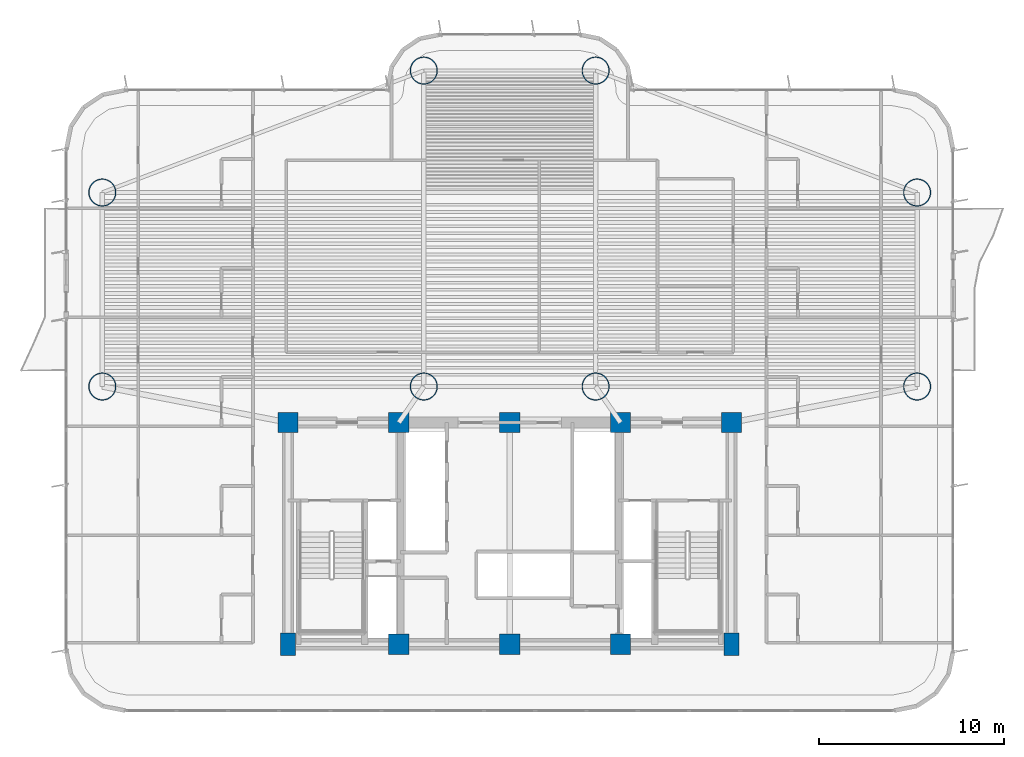
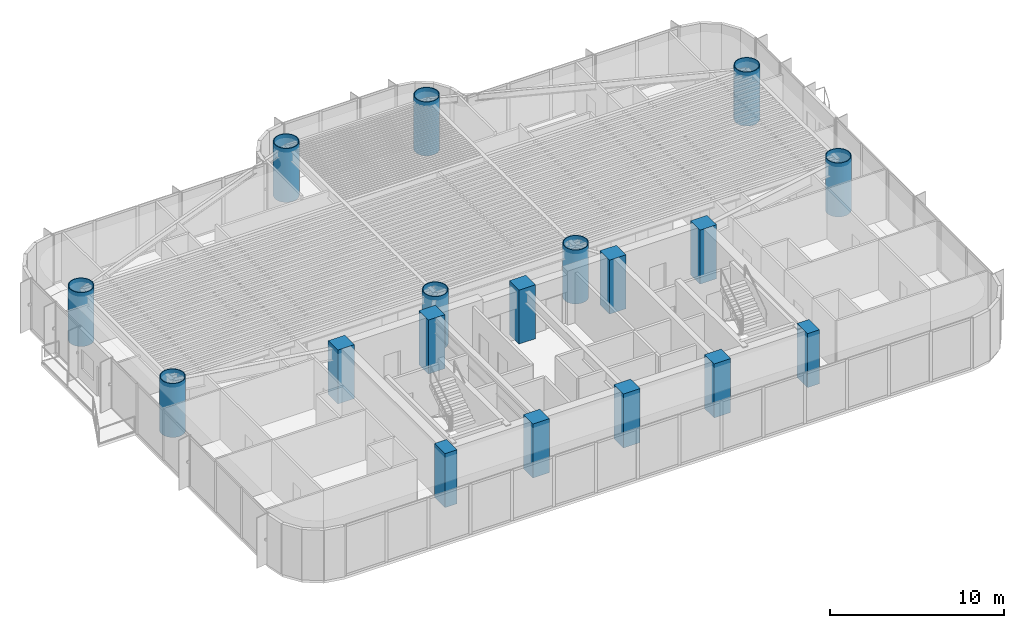
# One storey, part 1 of 18: 18 columns.
"""IFC4 building model written with IfcOpenShell, lengths in metres."""

from ifc_helpers import new_model, si_unit, direction, frame, origin, origin_2d, place, context, subcontext, project, spatial, rectangle, hollow_circle, extrude, source, transform, mapped, material, material_profile, profile_set, type_object, element, save


model = new_model("IFC4")

# Units and contexts
model_context = context("Model", 3, precision=1e-05, world=origin(), true_north=direction((0.0, 1.0)))
body_context = subcontext(model_context, "Body", "Model", "MODEL_VIEW")
ifc_project = project(units=[si_unit("LENGTHUNIT", "METRE"), si_unit("AREAUNIT", "SQUARE_METRE"), si_unit("VOLUMEUNIT", "CUBIC_METRE"), si_unit("PLANEANGLEUNIT", "RADIAN"), si_unit("MASSUNIT", "GRAM", prefix="KILO")], contexts=[model_context])

# Site, building, storey
site_placement = place(None, origin())
site = spatial("IfcSite", under=ifc_project, at=site_placement, CompositionType="ELEMENT")
building_placement = place(site_placement, origin())
building = spatial("IfcBuilding", under=site, at=building_placement, Name="Brelvock Crest Care Tower", CompositionType="ELEMENT")
storey_placement = place(building_placement, frame((0.0, 0.0, 38.340087890625)))
storey = spatial("IfcBuildingStorey", under=building, at=storey_placement, Name="L09", CompositionType="ELEMENT", Elevation=38.340087890625)

# Columns
ifc_material_1 = material(Name="Concrete S80 (80 MPa)", Category="concrete")
ifc_material_profile_1 = material_profile(ifc_material_1, rectangle(XDim=0.800048828125, YDim=1.199951171875, at=origin_2d()), Name="RC800x1200")
ifc_profile_set_1 = profile_set([ifc_material_profile_1], Name="Concrete S80 (80 MPa)")
column_type_1 = type_object("IfcColumnType", Name="COL-RC5", PredefinedType="COLUMN", material=ifc_profile_set_1)
shared_shape_1 = source(origin(), body_context, "Body", "SweptSolid", [
    extrude(rectangle(XDim=0.800048828125, YDim=1.199951171875, at=origin_2d()), origin(), (0.0, 0.0, 1.0), 3.780029296875),
])
for number, where, z_axis, x_axis, name in (
    (1, (24.0, 6.0, 0.0), (0.0, 0.0, 1.0), (1.0, 0.0, 0.0), "L09 Core Column CC-01"),
    (2, (48.0, 6.0, 0.0), (0.0, 0.0, 1.0), (1.0, 0.0, 0.0), "L09 Core Column CC-05"),
):
    element("IfcColumn", number, at=place(storey_placement, frame(where, z_axis=z_axis, x_axis=x_axis)), inside=storey, type_object=column_type_1, Name=name, PredefinedType="COLUMN", context=body_context, shape_type="MappedRepresentation", body=[
        mapped(shared_shape_1, transform((0.0, 0.0, 0.0), x_axis=(1.0, 0.0, 0.0), y_axis=(0.0, 1.0, 0.0), z_axis=(0.0, 0.0, 1.0), scale=1.0)),
    ])
ifc_material_profile_2 = material_profile(ifc_material_1, rectangle(XDim=1.10009765625, YDim=1.10009765625, at=origin_2d()), Name="RC1100x1100")
ifc_profile_set_2 = profile_set([ifc_material_profile_2], Name="Concrete S80 (80 MPa)")
column_type_2 = type_object("IfcColumnType", Name="COL-RC1", PredefinedType="COLUMN", material=ifc_profile_set_2)
shared_shape_2 = source(origin(), body_context, "Body", "SweptSolid", [
    extrude(rectangle(XDim=1.10009765625, YDim=1.10009765625, at=origin_2d()), origin(), (0.0, 0.0, 1.0), 3.780029296875),
])
for number, where, z_axis, x_axis, name in (
    (3, (30.0, 6.0, 0.0), (0.0, 0.0, 1.0), (1.0, 0.0, 0.0), "L09 Core Column CC-02"),
    (4, (36.0, 6.0, 0.0), (0.0, 0.0, 1.0), (1.0, 0.0, 0.0), "L09 Core Column CC-03"),
    (5, (42.0, 6.0, 0.0), (0.0, 0.0, 1.0), (1.0, 0.0, 0.0), "L09 Core Column CC-04"),
    (6, (24.0, 18.0, 0.0), (0.0, 0.0, 1.0), (1.0, 0.0, 0.0), "L09 Core Column CC-06"),
    (7, (30.0, 18.0, 0.0), (0.0, 0.0, 1.0), (1.0, 0.0, 0.0), "L09 Core Column CC-07"),
    (8, (36.0, 18.0, 0.0), (0.0, 0.0, 1.0), (1.0, 0.0, 0.0), "L09 Core Column CC-08"),
    (9, (42.0, 18.0, 0.0), (0.0, 0.0, 1.0), (1.0, 0.0, 0.0), "L09 Core Column CC-09"),
    (10, (48.0, 18.0, 0.0), (0.0, 0.0, 1.0), (1.0, 0.0, 0.0), "L09 Core Column CC-10"),
):
    element("IfcColumn", number, at=place(storey_placement, frame(where, z_axis=z_axis, x_axis=x_axis)), inside=storey, type_object=column_type_2, Name=name, PredefinedType="COLUMN", context=body_context, shape_type="MappedRepresentation", body=[
        mapped(shared_shape_2, transform((0.0, 0.0, 0.0), x_axis=(1.0, 0.0, 0.0), y_axis=(0.0, 1.0, 0.0), z_axis=(0.0, 0.0, 1.0), scale=1.0)),
    ])
ifc_material_2 = material(Name="Steel Grade 350", Category="steel")
ifc_material_profile_3 = material_profile(ifc_material_2, hollow_circle(Radius=0.75, WallThickness=0.050048828125, at=origin_2d()), Name="CFT1500x50")
ifc_profile_set_3 = profile_set([ifc_material_profile_3], Name="Steel Grade 350")
column_type_3 = type_object("IfcColumnType", Name="COL-MC1", PredefinedType="COLUMN", material=ifc_profile_set_3)
shared_shape_3 = source(origin(), body_context, "Body", "SweptSolid", [
    extrude(hollow_circle(Radius=0.75, WallThickness=0.050048828125, at=origin_2d()), origin(), (0.0, 0.0, 1.0), 3.780029296875),
])
for number, where, z_axis, x_axis, name in (
    (11, (13.949951171875, 19.949951171875, 0.0), (0.0, 0.0, 1.0), (1.0, 0.0, 0.0), "L09 Tower Column M1"),
    (12, (13.949951171875, 30.449951171875, 0.0), (0.0, 0.0, 1.0), (1.0, 0.0, 0.0), "L09 Tower Column M2"),
    (13, (58.050048828125, 19.949951171875, 0.0), (0.0, 0.0, 1.0), (1.0, 0.0, 0.0), "L09 Tower Column M3"),
    (14, (58.050048828125, 30.449951171875, 0.0), (0.0, 0.0, 1.0), (1.0, 0.0, 0.0), "L09 Tower Column M4"),
    (15, (31.35009765625, 19.949951171875, 0.0), (0.0, 0.0, 1.0), (1.0, 0.0, 0.0), "L09 Tower Column M5"),
    (16, (40.64990234375, 19.949951171875, 0.0), (0.0, 0.0, 1.0), (1.0, 0.0, 0.0), "L09 Tower Column M6"),
    (17, (31.35009765625, 37.050048828125, 0.0), (0.0, 0.0, 1.0), (1.0, 0.0, 0.0), "L09 Tower Column M7"),
    (18, (40.64990234375, 37.050048828125, 0.0), (0.0, 0.0, 1.0), (1.0, 0.0, 0.0), "L09 Tower Column M8"),
):
    element("IfcColumn", number, at=place(storey_placement, frame(where, z_axis=z_axis, x_axis=x_axis)), inside=storey, type_object=column_type_3, Name=name, PredefinedType="COLUMN", context=body_context, shape_type="MappedRepresentation", body=[
        mapped(shared_shape_3, transform((0.0, 0.0, 0.0), x_axis=(1.0, 0.0, 0.0), y_axis=(0.0, 1.0, 0.0), z_axis=(0.0, 0.0, 1.0), scale=1.0)),
    ])

save(model, "model.ifc")
